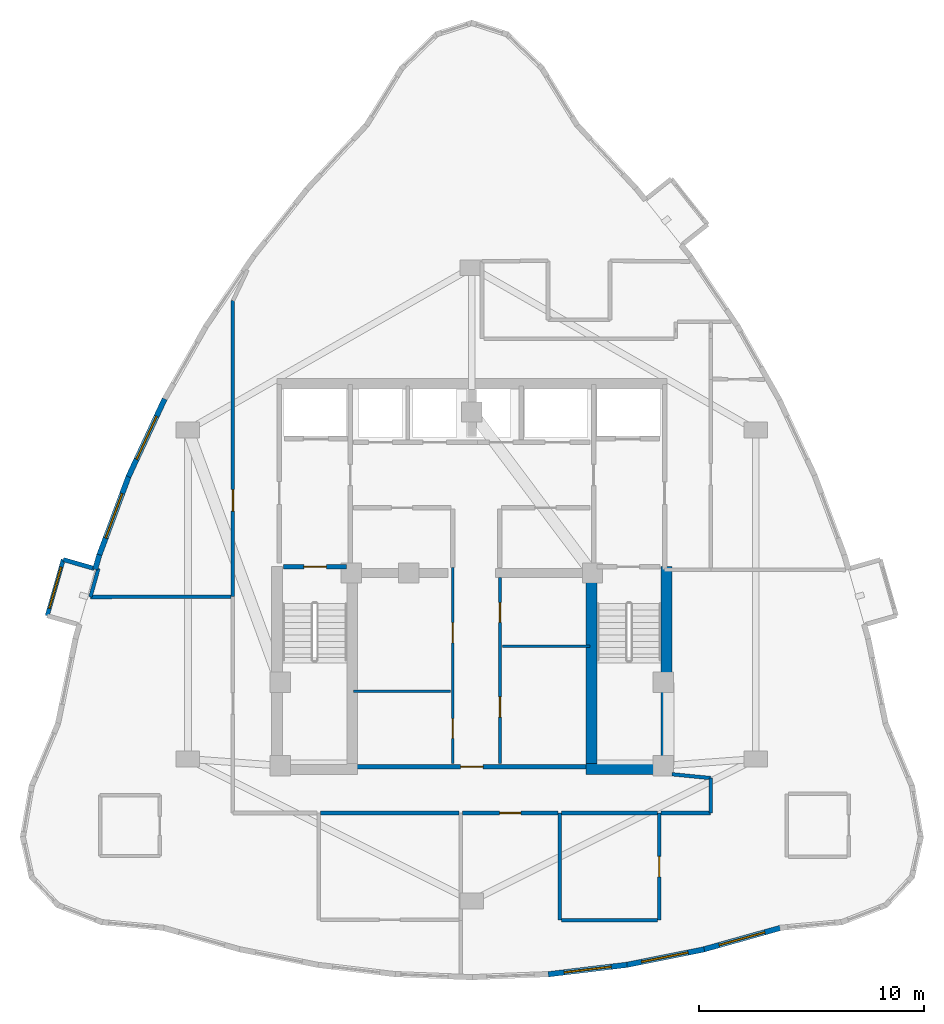
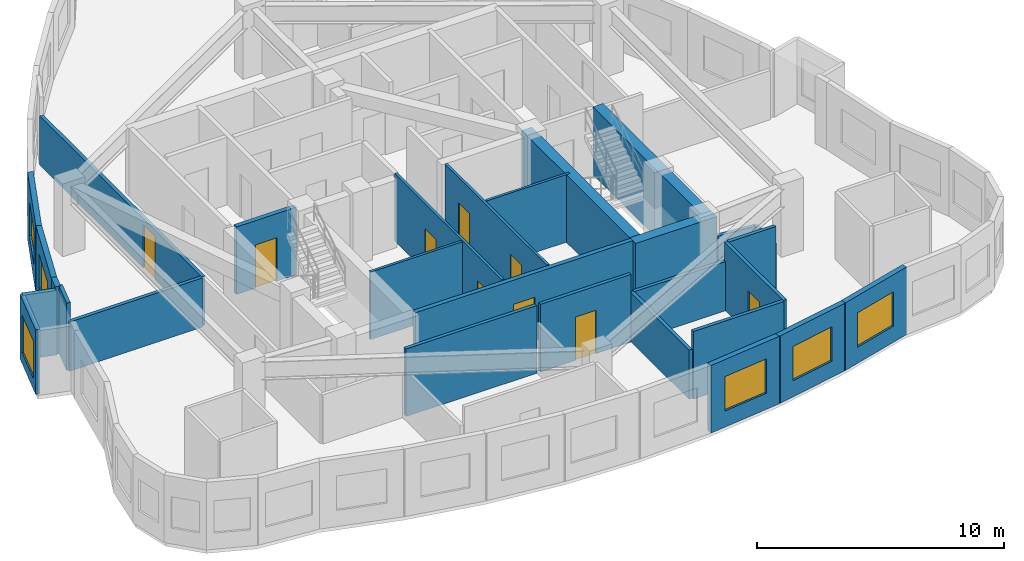
# One storey, part 4 of 8: 29 walls, 9 doors, 6 windows, 15 openings.
"""IFC4 building model written with IfcOpenShell, lengths in metres."""

import ifcopenshell
import ifcopenshell.guid

model = None  # the IFC model being written
_history = None  # IfcOwnerHistory: only IFC2X3 demands one
_inside = {}  # id of a spatial element -> (the spatial element, [elements in it])
_under = {}  # id of a project, library or spatial element -> (it, [spatial elements below it])
_declared = {}  # id of a project -> (the project, [libraries it declares])
_typed = {}  # id of a type object -> (the type object, [elements of that type])
_made_of = {}  # id of a material, layer set ... -> (it, [elements and type objects made of it])


def new_model(schema):
    """Start an empty IFC model of exactly this schema.

    Asked for "IFC4X3", IfcOpenShell would pick the latest addendum, in which some entities
    have other attributes; the version numbers below select the first issue.
    IFC2X3 requires an IfcOwnerHistory on every rooted entity: one is made here for all.
    """
    global model, _history
    if schema == "IFC4X3":
        model = ifcopenshell.file(schema_version=(4, 3, 0, 0))
    else:
        model = ifcopenshell.file(schema=schema)
    _inside.clear()
    _under.clear()
    _declared.clear()
    _typed.clear()
    _made_of.clear()
    _history = None
    if model.schema == "IFC2X3":
        org = make("IfcOrganization", Name="unknown")
        user = make(
            "IfcPersonAndOrganization",
            ThePerson=make("IfcPerson", FamilyName="unknown"),
            TheOrganization=org,
        )
        app = make(
            "IfcApplication",
            ApplicationDeveloper=org,
            Version="unknown",
            ApplicationFullName="unknown",
            ApplicationIdentifier="unknown",
        )
        _history = make(
            "IfcOwnerHistory",
            OwningUser=user,
            OwningApplication=app,
            ChangeAction="ADDED",
            CreationDate=0,
        )
    return model


def make(cls, **values):
    """One entity of the class cls with the attributes given. An attribute that is None is left unset."""
    return model.create_entity(
        cls, **{name: value for name, value in values.items() if value is not None}
    )


def rooted(cls, **values):
    """An entity with a GlobalId (a new one), such as an element, a storey or a relation."""
    return make(cls, GlobalId=ifcopenshell.guid.new(), OwnerHistory=_history, **values)


def si_unit(unit_type, name, prefix=None):
    """IfcSIUnit, for example si_unit("LENGTHUNIT", "METRE", prefix="MILLI")."""
    return make("IfcSIUnit", UnitType=unit_type, Prefix=prefix, Name=name)


def assignment(units):
    """IfcUnitAssignment: the units of a project."""
    return None if units is None else make("IfcUnitAssignment", Units=units)


def point(xyz):
    """IfcCartesianPoint."""
    return None if xyz is None else make("IfcCartesianPoint", Coordinates=xyz)


def direction(xyz):
    """IfcDirection."""
    return None if xyz is None else make("IfcDirection", DirectionRatios=xyz)


def frame(location, z_axis=None, x_axis=None):
    """IfcAxis2Placement3D, a coordinate frame: its origin and axes. An axis left out is left unset."""
    return make(
        "IfcAxis2Placement3D",
        Location=point(location),
        Axis=direction(z_axis),
        RefDirection=direction(x_axis),
    )


def frame_2d(location, x_axis=None):
    """IfcAxis2Placement2D, a coordinate frame in the plane: its origin and x axis."""
    return make(
        "IfcAxis2Placement2D", Location=point(location), RefDirection=direction(x_axis)
    )


def origin():
    """The frame at (0, 0, 0) with its axes left unset."""
    return frame((0.0, 0.0, 0.0))


def place(relative_to, where):
    """IfcLocalPlacement: puts the frame where relative to a parent placement (None: the world)."""
    return make(
        "IfcLocalPlacement", PlacementRelTo=relative_to, RelativePlacement=where
    )


def context(
    kind, dimensions, precision=None, world=None, true_north=None, identifier=None
):
    """IfcGeometricRepresentationContext, for example the 3D "Model" context."""
    return make(
        "IfcGeometricRepresentationContext",
        ContextIdentifier=identifier,
        ContextType=kind,
        CoordinateSpaceDimension=dimensions,
        Precision=precision,
        WorldCoordinateSystem=world,
        TrueNorth=true_north,
    )


def subcontext(parent, identifier, kind, view, scale=None):
    """IfcGeometricRepresentationSubContext, for example "Body" below "Model"."""
    return make(
        "IfcGeometricRepresentationSubContext",
        ContextIdentifier=identifier,
        ContextType=kind,
        ParentContext=parent,
        TargetScale=scale,
        TargetView=view,
    )


def project(units=None, contexts=None):
    """IfcProject with its units and contexts."""
    return rooted(
        "IfcProject",
        Name="project",
        RepresentationContexts=contexts,
        UnitsInContext=assignment(units),
    )


def spatial(cls, under=None, at=None, **own):
    """A site, building, storey or space (cls), placed at a placement, below another one or the project."""
    s = rooted(cls, ObjectPlacement=at, **own)
    if under is not None:
        _under.setdefault(under.id(), (under, []))[1].append(s)
    return s


def profile(cls, at=None, kind="AREA", **sizes):
    """A parametric profile (cls). Its sizes go by their IFC names, for example OverallWidth=200.0."""
    return make(cls, ProfileType=kind, Position=at, **sizes)


def rectangle(**sizes):
    """IfcRectangleProfileDef."""
    return profile("IfcRectangleProfileDef", **sizes)


def extrude(swept, where, along, depth):
    """IfcExtrudedAreaSolid: the profile swept, set in the frame where, extruded along a direction by depth."""
    return make(
        "IfcExtrudedAreaSolid",
        SweptArea=swept,
        Position=where,
        ExtrudedDirection=direction(along),
        Depth=depth,
    )


def shape(context_of_items, identifier, shape_type, items):
    """IfcShapeRepresentation: the items that make up one representation, for example the "Body"."""
    return make(
        "IfcShapeRepresentation",
        ContextOfItems=context_of_items,
        RepresentationIdentifier=identifier,
        RepresentationType=shape_type,
        Items=items,
    )


def material(Name=None, Category=None):
    """IfcMaterial."""
    return make("IfcMaterial", Name=Name, Category=Category)


def layer(
    of_material, thickness, ventilated=None, Name=None, Category=None, Priority=None
):
    """IfcMaterialLayer: one layer of a wall or slab, of a material (None: an air gap)."""
    return make(
        "IfcMaterialLayer",
        Material=of_material,
        LayerThickness=thickness,
        IsVentilated=ventilated,
        Name=Name,
        Category=Category,
        Priority=Priority,
    )


def layer_set(layers, Name=None):
    """IfcMaterialLayerSet."""
    return make("IfcMaterialLayerSet", MaterialLayers=layers, LayerSetName=Name)


def made_of(thing, what):
    """Note that an element or type object is made of a material, layer set ...; save() writes the relation."""
    if what is not None:
        _made_of.setdefault(what.id(), (what, []))[1].append(thing)
    return thing


def type_object(cls, material=None, **own):
    """A type object (cls), such as IfcWallType, which elements share."""
    return made_of(rooted(cls, **own), material)


def element(
    cls,
    number,
    at=None,
    inside=None,
    cuts=None,
    type_object=None,
    material=None,
    context=None,
    identifier="Body",
    shape_type=None,
    held_by="IfcProductDefinitionShape",
    body=None,
    shapes=None,
    **own,
):
    """One element of the class cls, such as IfcWall. Its Tag is "e" and its number.

    at: its placement. inside: the storey or other place that contains it. cuts: it is an
    opening in that element (IfcRelVoidsElement). A single representation is given by context,
    identifier, shape_type and body (its items); several are given by shapes. held_by: the class
    of the entity that holds the representations. save() writes the other relations.
    """
    e = rooted(cls, Tag="e%d" % number, ObjectPlacement=at, **own)
    if body is not None:
        shapes = [shape(context, identifier, shape_type, body)]
    if shapes is not None:
        e.Representation = make(held_by, Representations=shapes)
    if inside is not None:
        _inside.setdefault(inside.id(), (inside, []))[1].append(e)
    if cuts is not None:
        rooted(
            "IfcRelVoidsElement", RelatingBuildingElement=cuts, RelatedOpeningElement=e
        )
    if type_object is not None:
        _typed.setdefault(type_object.id(), (type_object, []))[1].append(e)
    return made_of(e, material)


def fill(opening, filler):
    """IfcRelFillsElement: the door or window that sits in an opening."""
    return rooted(
        "IfcRelFillsElement",
        RelatingOpeningElement=opening,
        RelatedBuildingElement=filler,
    )


def aggregate(whole, parts):
    """IfcRelAggregates: a whole, such as a stair, and the parts it consists of."""
    return rooted("IfcRelAggregates", RelatingObject=whole, RelatedObjects=parts)


def save(model, path):
    """Write the relations noted so far, then the file.

    IfcRelAggregates (storeys below a building ...), IfcRelContainedInSpatialStructure (elements
    in a storey), IfcRelDefinesByType, IfcRelAssociatesMaterial and IfcRelDeclares: one each for
    every whole, place, type object, material and project.
    """
    for whole, parts in _under.values():
        aggregate(whole, parts)
    for where, things in _inside.values():
        rooted(
            "IfcRelContainedInSpatialStructure",
            RelatedElements=things,
            RelatingStructure=where,
        )
    for kind, things in _typed.values():
        rooted("IfcRelDefinesByType", RelatedObjects=things, RelatingType=kind)
    for what, things in _made_of.values():
        rooted("IfcRelAssociatesMaterial", RelatedObjects=things, RelatingMaterial=what)
    for by, libraries in _declared.values():
        rooted("IfcRelDeclares", RelatingContext=by, RelatedDefinitions=libraries)
    model.write(path)


model = new_model("IFC4")

# Units and contexts
model_context = context("Model", 3, precision=1e-05, world=origin(), true_north=direction((0.0, 1.0)))
body_context = subcontext(model_context, "Body", "Model", "MODEL_VIEW")
ifc_project = project(units=[si_unit("LENGTHUNIT", "METRE"), si_unit("AREAUNIT", "SQUARE_METRE"), si_unit("VOLUMEUNIT", "CUBIC_METRE"), si_unit("PLANEANGLEUNIT", "RADIAN"), si_unit("MASSUNIT", "GRAM", prefix="KILO")], contexts=[model_context])

# Site, building, storey
site_placement = place(None, origin())
site = spatial("IfcSite", under=ifc_project, at=site_placement, CompositionType="ELEMENT")
building_placement = place(site_placement, origin())
building = spatial("IfcBuilding", under=site, at=building_placement, Name="Miruveldt Soraemaru", CompositionType="ELEMENT")
storey_placement = place(building_placement, frame((0.0, 0.0, 237.60009765625)))
storey = spatial("IfcBuildingStorey", under=building, at=storey_placement, Name="L65", CompositionType="ELEMENT", Elevation=237.60009765625)

# Wall
ifc_material_1 = material(Name="White powder-coated aluminium EN AW-6060 T6", Category="aluminium")
ifc_layer_1 = layer(ifc_material_1, 0.18994140625, Name="White powder-coated aluminium EN AW-6060 T6", Category="aluminium")
ifc_layer_set_1 = layer_set([ifc_layer_1], Name="White powder-coated aluminium EN AW-6060 T6")
wall_type_1 = type_object("IfcWallType", Name="WALL-BAY-ALU190", PredefinedType="SOLIDWALL", material=ifc_layer_set_1)
wall_1_placement = place(storey_placement, frame((27.240966796875, 44.253662109375, 0.0), z_axis=(0.0, 0.0, 1.0), x_axis=(-0.961452801096, 0.274970018845, 0.0)))
element("IfcWall", 1, at=wall_1_placement, inside=storey, type_object=wall_type_1, Name="L65 Bay Window Side Cheek 1L", PredefinedType="SOLIDWALL", context=body_context, shape_type="SweptSolid", body=[
    extrude(rectangle(XDim=1.425048828125, YDim=0.18994140625, at=frame_2d((0.71240234375, 0.0))), origin(), (0.0, 0.0, 1.0), 3.19482421875),
])

# Wall, opening, window
wall_2_placement = place(storey_placement, frame((25.870849609375, 44.6455078125, 0.0), z_axis=(0.0, 0.0, 1.0), x_axis=(-0.274932598298, -0.961463502372, 0.0)))
wall_2 = element("IfcWall", 2, at=wall_2_placement, inside=storey, type_object=wall_type_1, Name="L65 Bay Window Front Frame 1", PredefinedType="SOLIDWALL", context=body_context, shape_type="SweptSolid", body=[
    extrude(rectangle(XDim=2.592041015625, YDim=0.18994140625, at=frame_2d((1.2958984375, 0.0))), origin(), (0.0, 0.0, 1.0), 3.19482421875),
])
opening_1_placement = place(wall_2_placement, frame((0.345947265625, 0.0, 0.550048828125)))
opening_1 = element("IfcOpeningElement", 3, at=opening_1_placement, cuts=wall_2, Name="Opening WN-6", PredefinedType="OPENING", context=body_context, shape_type="SweptSolid", body=[
    extrude(rectangle(XDim=1.89990234375, YDim=1.85009765625, at=frame_2d((0.949951171875, 0.925048828125))), frame((0.0, 0.10498046875, 0.0), z_axis=(0.0, -1.0, 0.0), x_axis=(1.0, 0.0, 0.0)), (0.0, 0.0, 1.0), 0.2099609375),
])
ifc_material_2 = material(Name="Triple low-e insulated glazing", Category="glass")
window_type_1 = type_object("IfcWindowType", Name="WIN-BAYW-1900x1850", PartitioningType="SINGLE_PANEL", PredefinedType="WINDOW", material=ifc_material_2)
window_1_placement = place(opening_1_placement, origin())
window_1 = element("IfcWindow", 4, at=window_1_placement, inside=storey, type_object=window_type_1, Name="L65 Projecting Bay Window 1", OverallHeight=1.85009765625, OverallWidth=1.89990234375, PartitioningType="SINGLE_PANEL", PredefinedType="WINDOW", context=body_context, shape_type="SweptSolid", body=[
    extrude(rectangle(XDim=1.89990234375, YDim=1.85009765625, at=frame_2d((0.949951171875, 0.925048828125))), frame((0.0, 0.030029296875, 0.0), z_axis=(0.0, -1.0, 0.0), x_axis=(1.0, 0.0, 0.0)), (0.0, 0.0, 1.0), 0.06005859375),
])
fill(opening_1, window_1)

# Walls
ifc_material_3 = material(Name="Concrete C60/75 (60 MPa)", Category="concrete")
ifc_layer_2 = layer(ifc_material_3, 0.47998046875, Name="Concrete C60/75 (60 MPa)", Category="concrete")
ifc_layer_set_2 = layer_set([ifc_layer_2], Name="Concrete C60/75 (60 MPa)")
wall_type_2 = type_object("IfcWallType", Name="WALL-CW-480", PredefinedType="SHEAR", material=ifc_layer_set_2)
wall_3_placement = place(storey_placement, frame((49.070068359375, 35.360107421875, 0.0), z_axis=(0.0, 0.0, 1.0), x_axis=(1.0, 0.0, 0.0)))
element("IfcWall", 5, at=wall_3_placement, inside=storey, type_object=wall_type_2, Name="L65 Central Core Shear Wall S2", PredefinedType="SHEAR", context=body_context, shape_type="SweptSolid", body=[
    extrude(rectangle(XDim=3.809814453125, YDim=0.47998046875, at=frame_2d((1.90478515625, 0.0))), origin(), (0.0, 0.0, 1.0), 3.344970703125),
])
wall_4_placement = place(storey_placement, frame((52.639892578125, 35.1201171875, 0.0), z_axis=(0.0, 0.0, 1.0), x_axis=(0.0, 1.0, 0.0)))
element("IfcWall", 6, at=wall_4_placement, inside=storey, type_object=wall_type_2, Name="L65 Central Core Shear Wall E1", PredefinedType="SHEAR", context=body_context, shape_type="SweptSolid", body=[
    extrude(rectangle(XDim=9.22998046875, YDim=0.47998046875, at=frame_2d((4.614990234375, 0.0))), origin(), (0.0, 0.0, 1.0), 3.344970703125),
])
wall_5_placement = place(storey_placement, frame((49.31005859375, 35.39990234375, 0.0), z_axis=(0.0, 0.0, 1.0), x_axis=(0.0, 1.0, 0.0)))
element("IfcWall", 7, at=wall_5_placement, inside=storey, type_object=wall_type_2, Name="L65 Central Core Shear Wall SE-INT", PredefinedType="SHEAR", context=body_context, shape_type="SweptSolid", body=[
    extrude(rectangle(XDim=8.9501953125, YDim=0.47998046875, at=frame_2d((4.47509765625, 0.0))), origin(), (0.0, 0.0, 1.0), 3.344970703125),
])

# Wall, opening, window
ifc_material_4 = material(Name="Precast concrete C45/55 (45 MPa)", Category="concrete")
ifc_layer_3 = layer(ifc_material_4, 0.239990234375, Name="Precast concrete C45/55 (45 MPa)", Category="concrete")
ifc_layer_set_3 = layer_set([ifc_layer_3], Name="Precast concrete C45/55 (45 MPa)")
wall_type_3 = type_object("IfcWallType", Name="WALL-EXT-PC240", PredefinedType="SOLIDWALL", material=ifc_layer_set_3)
wall_6_placement = place(storey_placement, frame((30.3701171875, 51.77587890625, 0.0), z_axis=(0.0, 0.0, 1.0), x_axis=(-0.422289186976, -0.906461164399, 0.0)))
wall_6 = element("IfcWall", 8, at=wall_6_placement, inside=storey, type_object=wall_type_3, Name="L65 Precast Concrete Facade Wall 11", PredefinedType="SOLIDWALL", context=body_context, shape_type="SweptSolid", body=[
    extrude(rectangle(XDim=3.81103515625, YDim=0.239990234375, at=frame_2d((1.905517578125, 0.0))), origin(), (0.0, 0.0, 1.0), 3.344970703125),
])
opening_2_placement = place(wall_6_placement, frame((0.85498046875, 0.0, 0.800048828125)))
opening_2 = element("IfcOpeningElement", 9, at=opening_2_placement, cuts=wall_6, Name="Opening WN-1", PredefinedType="OPENING", context=body_context, shape_type="SweptSolid", body=[
    extrude(rectangle(XDim=2.10009765625, YDim=1.699951171875, at=frame_2d((1.050048828125, 0.85009765625))), frame((0.0, 0.1298828125, 0.0), z_axis=(0.0, -1.0, 0.0), x_axis=(1.0, 0.0, 0.0)), (0.0, 0.0, 1.0), 0.260009765625),
])
window_type_2 = type_object("IfcWindowType", Name="WIN-PUNCH-2100x1700", PartitioningType="SINGLE_PANEL", PredefinedType="WINDOW", material=ifc_material_2)
window_2_placement = place(opening_2_placement, origin())
window_2 = element("IfcWindow", 10, at=window_2_placement, inside=storey, type_object=window_type_2, Name="L65 Punched Triple-Glazed Window 11.1", OverallHeight=1.699951171875, OverallWidth=2.10009765625, PartitioningType="SINGLE_PANEL", PredefinedType="WINDOW", context=body_context, shape_type="SweptSolid", body=[
    extrude(rectangle(XDim=2.10009765625, YDim=1.699951171875, at=frame_2d((1.050048828125, 0.85009765625))), frame((0.0, 0.030029296875, 0.0), z_axis=(0.0, -1.0, 0.0), x_axis=(1.0, 0.0, 0.0)), (0.0, 0.0, 1.0), 0.06005859375),
])
fill(opening_2, window_2)

wall_7_placement = place(storey_placement, frame((28.787841796875, 48.385986328125, 0.0), z_axis=(0.0, 0.0, 1.0), x_axis=(-0.349057504323, -0.937101306517, 0.0)))
wall_7 = element("IfcWall", 11, at=wall_7_placement, inside=storey, type_object=wall_type_3, Name="L65 Precast Concrete Facade Wall 12", PredefinedType="SOLIDWALL", context=body_context, shape_type="SweptSolid", body=[
    extrude(rectangle(XDim=3.8349609375, YDim=0.239990234375, at=frame_2d((1.91748046875, 0.0))), origin(), (0.0, 0.0, 1.0), 3.344970703125),
])
opening_3_placement = place(wall_7_placement, frame((0.866943359375, 0.0, 0.800048828125)))
opening_3 = element("IfcOpeningElement", 12, at=opening_3_placement, cuts=wall_7, Name="Opening WN-1", PredefinedType="OPENING", context=body_context, shape_type="SweptSolid", body=[
    extrude(rectangle(XDim=2.10009765625, YDim=1.699951171875, at=frame_2d((1.050048828125, 0.85009765625))), frame((0.0, 0.1298828125, 0.0), z_axis=(0.0, -1.0, 0.0), x_axis=(1.0, 0.0, 0.0)), (0.0, 0.0, 1.0), 0.260009765625),
])
window_3_placement = place(opening_3_placement, origin())
window_3 = element("IfcWindow", 13, at=window_3_placement, inside=storey, type_object=window_type_2, Name="L65 Punched Triple-Glazed Window 12.1", OverallHeight=1.699951171875, OverallWidth=2.10009765625, PartitioningType="SINGLE_PANEL", PredefinedType="WINDOW", context=body_context, shape_type="SweptSolid", body=[
    extrude(rectangle(XDim=2.10009765625, YDim=1.699951171875, at=frame_2d((1.050048828125, 0.85009765625))), frame((0.0, 0.030029296875, 0.0), z_axis=(0.0, -1.0, 0.0), x_axis=(1.0, 0.0, 0.0)), (0.0, 0.0, 1.0), 0.06005859375),
])
fill(opening_3, window_3)

# Wall
wall_8_placement = place(storey_placement, frame((27.47119140625, 44.858642578125, 0.0), z_axis=(0.0, 0.0, 1.0), x_axis=(-0.274912223322, -0.961469328407, 0.0)))
element("IfcWall", 14, at=wall_8_placement, inside=storey, type_object=wall_type_3, Name="L65 Precast Pier Wall 13A", PredefinedType="SOLIDWALL", context=body_context, shape_type="SweptSolid", body=[
    extrude(rectangle(XDim=0.675048828125, YDim=0.239990234375, at=frame_2d((0.33740234375, 0.0))), origin(), (0.0, 0.0, 1.0), 3.344970703125),
])

# Wall, opening, window
wall_9_placement = place(storey_placement, frame((47.390625, 26.244384765625, 0.0), z_axis=(0.0, 0.0, 1.0), x_axis=(0.992867975091, 0.119219059038, 0.0)))
wall_9 = element("IfcWall", 15, at=wall_9_placement, inside=storey, type_object=wall_type_3, Name="L65 Precast Concrete Facade Wall 26", PredefinedType="SOLIDWALL", context=body_context, shape_type="SweptSolid", body=[
    extrude(rectangle(XDim=3.520263671875, YDim=0.239990234375, at=frame_2d((1.76025390625, 0.0))), origin(), (0.0, 0.0, 1.0), 3.344970703125),
])
opening_4_placement = place(wall_9_placement, frame((0.7099609375, 0.0, 0.800048828125)))
opening_4 = element("IfcOpeningElement", 16, at=opening_4_placement, cuts=wall_9, Name="Opening WN-1", PredefinedType="OPENING", context=body_context, shape_type="SweptSolid", body=[
    extrude(rectangle(XDim=2.10009765625, YDim=1.699951171875, at=frame_2d((1.050048828125, 0.85009765625))), frame((0.0, 0.1298828125, 0.0), z_axis=(0.0, -1.0, 0.0), x_axis=(1.0, 0.0, 0.0)), (0.0, 0.0, 1.0), 0.260009765625),
])
window_4_placement = place(opening_4_placement, origin())
window_4 = element("IfcWindow", 17, at=window_4_placement, inside=storey, type_object=window_type_2, Name="L65 Punched Triple-Glazed Window 26.1", OverallHeight=1.699951171875, OverallWidth=2.10009765625, PartitioningType="SINGLE_PANEL", PredefinedType="WINDOW", context=body_context, shape_type="SweptSolid", body=[
    extrude(rectangle(XDim=2.10009765625, YDim=1.699951171875, at=frame_2d((1.050048828125, 0.85009765625))), frame((0.0, 0.030029296875, 0.0), z_axis=(0.0, -1.0, 0.0), x_axis=(1.0, 0.0, 0.0)), (0.0, 0.0, 1.0), 0.06005859375),
])
fill(opening_4, window_4)

wall_10_placement = place(storey_placement, frame((50.816650390625, 26.65283203125, 0.0), z_axis=(0.0, 0.0, 1.0), x_axis=(0.980572769429, 0.196155662303, 0.0)))
wall_10 = element("IfcWall", 18, at=wall_10_placement, inside=storey, type_object=wall_type_3, Name="L65 Precast Concrete Facade Wall 27", PredefinedType="SOLIDWALL", context=body_context, shape_type="SweptSolid", body=[
    extrude(rectangle(XDim=3.5634765625, YDim=0.239990234375, at=frame_2d((1.78173828125, 0.0))), origin(), (0.0, 0.0, 1.0), 3.344970703125),
])
opening_5_placement = place(wall_10_placement, frame((0.73193359375, 0.0, 0.800048828125)))
opening_5 = element("IfcOpeningElement", 19, at=opening_5_placement, cuts=wall_10, Name="Opening WN-1", PredefinedType="OPENING", context=body_context, shape_type="SweptSolid", body=[
    extrude(rectangle(XDim=2.10009765625, YDim=1.699951171875, at=frame_2d((1.050048828125, 0.85009765625))), frame((0.0, 0.1298828125, 0.0), z_axis=(0.0, -1.0, 0.0), x_axis=(1.0, 0.0, 0.0)), (0.0, 0.0, 1.0), 0.260009765625),
])
window_5_placement = place(opening_5_placement, origin())
window_5 = element("IfcWindow", 20, at=window_5_placement, inside=storey, type_object=window_type_2, Name="L65 Punched Triple-Glazed Window 27.1", OverallHeight=1.699951171875, OverallWidth=2.10009765625, PartitioningType="SINGLE_PANEL", PredefinedType="WINDOW", context=body_context, shape_type="SweptSolid", body=[
    extrude(rectangle(XDim=2.10009765625, YDim=1.699951171875, at=frame_2d((1.050048828125, 0.85009765625))), frame((0.0, 0.030029296875, 0.0), z_axis=(0.0, -1.0, 0.0), x_axis=(1.0, 0.0, 0.0)), (0.0, 0.0, 1.0), 0.06005859375),
])
fill(opening_5, window_5)

wall_11_placement = place(storey_placement, frame((54.242919921875, 27.33544921875, 0.0), z_axis=(0.0, 0.0, 1.0), x_axis=(0.96295842686, 0.269649899203, 0.0)))
wall_11 = element("IfcWall", 21, at=wall_11_placement, inside=storey, type_object=wall_type_3, Name="L65 Precast Concrete Facade Wall 28", PredefinedType="SOLIDWALL", context=body_context, shape_type="SweptSolid", body=[
    extrude(rectangle(XDim=3.626953125, YDim=0.239990234375, at=frame_2d((1.8134765625, 0.0))), origin(), (0.0, 0.0, 1.0), 3.344970703125),
])
opening_6_placement = place(wall_11_placement, frame((0.763916015625, 0.0, 0.800048828125)))
opening_6 = element("IfcOpeningElement", 22, at=opening_6_placement, cuts=wall_11, Name="Opening WN-1", PredefinedType="OPENING", context=body_context, shape_type="SweptSolid", body=[
    extrude(rectangle(XDim=2.10009765625, YDim=1.699951171875, at=frame_2d((1.050048828125, 0.85009765625))), frame((0.0, 0.1298828125, 0.0), z_axis=(0.0, -1.0, 0.0), x_axis=(1.0, 0.0, 0.0)), (0.0, 0.0, 1.0), 0.260009765625),
])
window_6_placement = place(opening_6_placement, origin())
window_6 = element("IfcWindow", 23, at=window_6_placement, inside=storey, type_object=window_type_2, Name="L65 Punched Triple-Glazed Window 28.1", OverallHeight=1.699951171875, OverallWidth=2.10009765625, PartitioningType="SINGLE_PANEL", PredefinedType="WINDOW", context=body_context, shape_type="SweptSolid", body=[
    extrude(rectangle(XDim=2.10009765625, YDim=1.699951171875, at=frame_2d((1.050048828125, 0.85009765625))), frame((0.0, 0.030029296875, 0.0), z_axis=(0.0, -1.0, 0.0), x_axis=(1.0, 0.0, 0.0)), (0.0, 0.0, 1.0), 0.06005859375),
])
fill(opening_6, window_6)

# Wall, openings, doors
ifc_material_5 = material(Name="Gypsum plasterboard lining", Category="gypsum")
ifc_layer_4 = layer(ifc_material_5, 0.1201171875, Name="Gypsum plasterboard lining", Category="gypsum")
ifc_layer_set_4 = layer_set([ifc_layer_4], Name="Gypsum plasterboard lining")
wall_type_4 = type_object("IfcWallType", Name="WALL-INT-P120", PredefinedType="PARTITIONING", material=ifc_layer_set_4)
wall_12_placement = place(storey_placement, frame((43.14990234375, 35.60009765625, 0.0), z_axis=(0.0, 0.0, 1.0), x_axis=(0.0, 1.0, 0.0)))
wall_12 = element("IfcWall", 24, at=wall_12_placement, inside=storey, type_object=wall_type_4, Name="L65 Core Compartment Wall SP-WL", PredefinedType="PARTITIONING", context=body_context, shape_type="SweptSolid", body=[
    extrude(rectangle(XDim=8.699951171875, YDim=0.1201171875, at=frame_2d((4.35009765625, 0.0))), origin(), (0.0, 0.0, 1.0), 3.344970703125),
])
opening_7_placement = place(wall_12_placement, frame((1.110107421875, 0.0, 0.0)))
opening_7 = element("IfcOpeningElement", 25, at=opening_7_placement, cuts=wall_12, Name="Opening D4", PredefinedType="OPENING", context=body_context, shape_type="SweptSolid", body=[
    extrude(rectangle(XDim=0.8798828125, YDim=2.10009765625, at=frame_2d((0.43994140625, 1.050048828125))), frame((0.0, 0.070068359375, 0.0), z_axis=(0.0, -1.0, 0.0), x_axis=(1.0, 0.0, 0.0)), (0.0, 0.0, 1.0), 0.14013671875),
])
opening_8_placement = place(wall_12_placement, frame((5.35009765625, 0.0, 0.0)))
opening_8 = element("IfcOpeningElement", 26, at=opening_8_placement, cuts=wall_12, Name="Opening D3", PredefinedType="OPENING", context=body_context, shape_type="SweptSolid", body=[
    extrude(rectangle(XDim=0.89990234375, YDim=2.10009765625, at=frame_2d((0.449951171875, 1.050048828125))), frame((0.0, 0.070068359375, 0.0), z_axis=(0.0, -1.0, 0.0), x_axis=(1.0, 0.0, 0.0)), (0.0, 0.0, 1.0), 0.14013671875),
])
ifc_material_6 = material(Name="Anodised aluminium EN AW-6063 T6", Category="aluminium")
door_type_1 = type_object("IfcDoorType", Name="DOOR-INT-880", OperationType="NOTDEFINED", PredefinedType="DOOR", material=ifc_material_6)
door_1_placement = place(opening_7_placement, origin())
door_1 = element("IfcDoor", 27, at=door_1_placement, inside=storey, type_object=door_type_1, Name="L65 Fire Door", OperationType="SINGLE_SWING_LEFT", OverallHeight=2.10009765625, OverallWidth=0.8798828125, PredefinedType="DOOR", context=body_context, shape_type="SweptSolid", body=[
    extrude(rectangle(XDim=0.8798828125, YDim=2.10009765625, at=frame_2d((0.43994140625, 1.050048828125))), frame((0.0, 0.02490234375, 0.0), z_axis=(0.0, -1.0, 0.0), x_axis=(1.0, 0.0, 0.0)), (0.0, 0.0, 1.0), 0.050048828125),
])
fill(opening_7, door_1)
door_type_2 = type_object("IfcDoorType", Name="DOOR-INT-900", OperationType="NOTDEFINED", PredefinedType="DOOR", material=ifc_material_6)
door_2_placement = place(opening_8_placement, origin())
door_2 = element("IfcDoor", 28, at=door_2_placement, inside=storey, type_object=door_type_2, Name="L65 Fire Door", OperationType="SINGLE_SWING_LEFT", OverallHeight=2.10009765625, OverallWidth=0.89990234375, PredefinedType="DOOR", context=body_context, shape_type="SweptSolid", body=[
    extrude(rectangle(XDim=0.89990234375, YDim=2.10009765625, at=frame_2d((0.449951171875, 1.050048828125))), frame((0.0, 0.02490234375, 0.0), z_axis=(0.0, -1.0, 0.0), x_axis=(1.0, 0.0, 0.0)), (0.0, 0.0, 1.0), 0.050048828125),
])
fill(opening_8, door_2)

wall_13_placement = place(storey_placement, frame((45.25, 35.60009765625, 0.0), z_axis=(0.0, 0.0, 1.0), x_axis=(0.0, 1.0, 0.0)))
wall_13 = element("IfcWall", 29, at=wall_13_placement, inside=storey, type_object=wall_type_4, Name="L65 Core Compartment Wall SP-EL", PredefinedType="PARTITIONING", context=body_context, shape_type="SweptSolid", body=[
    extrude(rectangle(XDim=8.25, YDim=0.1201171875, at=frame_2d((4.125, 0.0))), origin(), (0.0, 0.0, 1.0), 3.344970703125),
])
opening_9_placement = place(wall_13_placement, frame((2.050048828125, 0.0, 0.0)))
opening_9 = element("IfcOpeningElement", 30, at=opening_9_placement, cuts=wall_13, Name="Opening D3", PredefinedType="OPENING", context=body_context, shape_type="SweptSolid", body=[
    extrude(rectangle(XDim=0.89990234375, YDim=2.10009765625, at=frame_2d((0.449951171875, 1.050048828125))), frame((0.0, 0.070068359375, 0.0), z_axis=(0.0, -1.0, 0.0), x_axis=(1.0, 0.0, 0.0)), (0.0, 0.0, 1.0), 0.14013671875),
])
opening_10_placement = place(wall_13_placement, frame((6.260009765625, 0.0, 0.0)))
opening_10 = element("IfcOpeningElement", 31, at=opening_10_placement, cuts=wall_13, Name="Opening D4", PredefinedType="OPENING", context=body_context, shape_type="SweptSolid", body=[
    extrude(rectangle(XDim=0.8798828125, YDim=2.10009765625, at=frame_2d((0.43994140625, 1.050048828125))), frame((0.0, 0.070068359375, 0.0), z_axis=(0.0, -1.0, 0.0), x_axis=(1.0, 0.0, 0.0)), (0.0, 0.0, 1.0), 0.14013671875),
])
door_3_placement = place(opening_10_placement, origin())
door_3 = element("IfcDoor", 32, at=door_3_placement, inside=storey, type_object=door_type_1, Name="L65 Fire Door", OperationType="SINGLE_SWING_LEFT", OverallHeight=2.10009765625, OverallWidth=0.8798828125, PredefinedType="DOOR", context=body_context, shape_type="SweptSolid", body=[
    extrude(rectangle(XDim=0.8798828125, YDim=2.10009765625, at=frame_2d((0.43994140625, 1.050048828125))), frame((0.0, 0.02490234375, 0.0), z_axis=(0.0, -1.0, 0.0), x_axis=(1.0, 0.0, 0.0)), (0.0, 0.0, 1.0), 0.050048828125),
])
fill(opening_10, door_3)
door_4_placement = place(opening_9_placement, origin())
door_4 = element("IfcDoor", 33, at=door_4_placement, inside=storey, type_object=door_type_2, Name="L65 Fire Door", OperationType="SINGLE_SWING_LEFT", OverallHeight=2.10009765625, OverallWidth=0.89990234375, PredefinedType="DOOR", context=body_context, shape_type="SweptSolid", body=[
    extrude(rectangle(XDim=0.89990234375, YDim=2.10009765625, at=frame_2d((0.449951171875, 1.050048828125))), frame((0.0, 0.02490234375, 0.0), z_axis=(0.0, -1.0, 0.0), x_axis=(1.0, 0.0, 0.0)), (0.0, 0.0, 1.0), 0.050048828125),
])
fill(opening_9, door_4)

# Walls
wall_14_placement = place(storey_placement, frame((38.75, 38.800048828125, 0.0), z_axis=(0.0, 0.0, 1.0), x_axis=(1.0, 0.0, 0.0)))
element("IfcWall", 34, at=wall_14_placement, inside=storey, type_object=wall_type_4, Name="L65 Core Compartment Wall RL-W2H", PredefinedType="PARTITIONING", context=body_context, shape_type="SweptSolid", body=[
    extrude(rectangle(XDim=4.300048828125, YDim=0.1201171875, at=frame_2d((2.14990234375, 0.0))), origin(), (0.0, 0.0, 1.0), 3.344970703125),
])
wall_15_placement = place(storey_placement, frame((45.35009765625, 40.800048828125, 0.0), z_axis=(0.0, 0.0, 1.0), x_axis=(1.0, 0.0, 0.0)))
element("IfcWall", 35, at=wall_15_placement, inside=storey, type_object=wall_type_4, Name="L65 Core Compartment Wall RL-E2H", PredefinedType="PARTITIONING", context=body_context, shape_type="SweptSolid", body=[
    extrude(rectangle(XDim=3.89990234375, YDim=0.1201171875, at=frame_2d((1.949951171875, 0.0))), origin(), (0.0, 0.0, 1.0), 3.344970703125),
])

# Wall, opening, door
ifc_material_7 = material(Name="Concrete C40/50 (40 MPa)", Category="concrete")
ifc_layer_5 = layer(ifc_material_7, 0.159912109375, Name="Concrete C40/50 (40 MPa)", Category="concrete")
ifc_layer_set_5 = layer_set([ifc_layer_5], Name="Concrete C40/50 (40 MPa)")
wall_type_5 = type_object("IfcWallType", Name="WALL-INT-RC160", PredefinedType="SOLIDWALL", material=ifc_layer_set_5)
wall_16_placement = place(storey_placement, frame((33.39990234375, 56.134033203125, 0.0), z_axis=(0.0, 0.0, 1.0), x_axis=(0.0, -1.0, 0.0)))
wall_16 = element("IfcWall", 36, at=wall_16_placement, inside=storey, type_object=wall_type_5, Name="L65 Partition Wall 1", PredefinedType="SOLIDWALL", context=body_context, shape_type="SweptSolid", body=[
    extrude(rectangle(XDim=13.131103515625, YDim=0.159912109375, at=frame_2d((6.5654296875, 0.0))), origin(), (0.0, 0.0, 1.0), 2.432861328125),
])
opening_11_placement = place(wall_16_placement, frame((8.385009765625, 0.0, 0.0)))
opening_11 = element("IfcOpeningElement", 37, at=opening_11_placement, cuts=wall_16, Name="Opening FD2", PredefinedType="OPENING", context=body_context, shape_type="SweptSolid", body=[
    extrude(rectangle(XDim=0.949951171875, YDim=2.14990234375, at=frame_2d((0.47509765625, 1.074951171875))), frame((0.0, 0.08984375, 0.0), z_axis=(0.0, -1.0, 0.0), x_axis=(1.0, 0.0, 0.0)), (0.0, 0.0, 1.0), 0.179931640625),
])
door_type_3 = type_object("IfcDoorType", Name="DOOR-FD2-950", OperationType="NOTDEFINED", PredefinedType="DOOR", material=ifc_material_6)
door_5_placement = place(opening_11_placement, origin())
door_5 = element("IfcDoor", 38, at=door_5_placement, inside=storey, type_object=door_type_3, Name="L65 Unit CL01 Entrance Fire Door", OperationType="SINGLE_SWING_LEFT", OverallHeight=2.14990234375, OverallWidth=0.949951171875, PredefinedType="DOOR", context=body_context, shape_type="SweptSolid", body=[
    extrude(rectangle(XDim=0.949951171875, YDim=2.14990234375, at=frame_2d((0.47509765625, 1.074951171875))), frame((0.0, 0.02490234375, 0.0), z_axis=(0.0, -1.0, 0.0), x_axis=(1.0, 0.0, 0.0)), (0.0, 0.0, 1.0), 0.050048828125),
])
fill(opening_11, door_5)

wall_17_placement = place(storey_placement, frame((52.31494140625, 33.39990234375, 0.0), z_axis=(0.0, 0.0, 1.0), x_axis=(0.0, -1.0, 0.0)))
wall_17 = element("IfcWall", 39, at=wall_17_placement, inside=storey, type_object=wall_type_5, Name="L65 Partition Wall 32", PredefinedType="SOLIDWALL", context=body_context, shape_type="SweptSolid", body=[
    extrude(rectangle(XDim=4.7578125, YDim=0.159912109375, at=frame_2d((2.37890625, 0.0))), origin(), (0.0, 0.0, 1.0), 3.344970703125),
])
opening_12_placement = place(wall_17_placement, frame((1.9189453125, 0.0, 0.0)))
opening_12 = element("IfcOpeningElement", 40, at=opening_12_placement, cuts=wall_17, Name="Opening D3A", PredefinedType="OPENING", context=body_context, shape_type="SweptSolid", body=[
    extrude(rectangle(XDim=0.919921875, YDim=2.10009765625, at=frame_2d((0.4599609375, 1.050048828125))), frame((0.0, 0.08984375, 0.0), z_axis=(0.0, -1.0, 0.0), x_axis=(1.0, 0.0, 0.0)), (0.0, 0.0, 1.0), 0.179931640625),
])
door_type_4 = type_object("IfcDoorType", Name="DOOR-INT-920", OperationType="NOTDEFINED", PredefinedType="DOOR", material=ifc_material_6)
door_6_placement = place(opening_12_placement, origin())
door_6 = element("IfcDoor", 41, at=door_6_placement, inside=storey, type_object=door_type_4, Name="L65 Unit 6504 BD2 Door", OperationType="SINGLE_SWING_LEFT", OverallHeight=2.10009765625, OverallWidth=0.919921875, PredefinedType="DOOR", context=body_context, shape_type="SweptSolid", body=[
    extrude(rectangle(XDim=0.919921875, YDim=2.10009765625, at=frame_2d((0.4599609375, 1.050048828125))), frame((0.0, 0.02490234375, 0.0), z_axis=(0.0, -1.0, 0.0), x_axis=(1.0, 0.0, 0.0)), (0.0, 0.0, 1.0), 0.050048828125),
])
fill(opening_12, door_6)

wall_18_placement = place(storey_placement, frame((43.5830078125, 33.39990234375, 0.0), z_axis=(0.0, 0.0, 1.0), x_axis=(1.0, 0.0, 0.0)))
wall_18 = element("IfcWall", 42, at=wall_18_placement, inside=storey, type_object=wall_type_5, Name="L65 Partition Wall 11", PredefinedType="SOLIDWALL", context=body_context, shape_type="SweptSolid", body=[
    extrude(rectangle(XDim=4.241943359375, YDim=0.159912109375, at=frame_2d((2.12109375, 0.0))), origin(), (0.0, 0.0, 1.0), 3.344970703125),
])
opening_13_placement = place(wall_18_placement, frame((1.64599609375, 0.0, 0.0)))
opening_13 = element("IfcOpeningElement", 43, at=opening_13_placement, cuts=wall_18, Name="Opening FD2", PredefinedType="OPENING", context=body_context, shape_type="SweptSolid", body=[
    extrude(rectangle(XDim=0.949951171875, YDim=2.14990234375, at=frame_2d((0.47509765625, 1.074951171875))), frame((0.0, 0.08984375, 0.0), z_axis=(0.0, -1.0, 0.0), x_axis=(1.0, 0.0, 0.0)), (0.0, 0.0, 1.0), 0.179931640625),
])
door_7_placement = place(opening_13_placement, origin())
door_7 = element("IfcDoor", 44, at=door_7_placement, inside=storey, type_object=door_type_3, Name="L65 Unit 6504 Entrance Fire Door", OperationType="SINGLE_SWING_LEFT", OverallHeight=2.14990234375, OverallWidth=0.949951171875, PredefinedType="DOOR", context=body_context, shape_type="SweptSolid", body=[
    extrude(rectangle(XDim=0.949951171875, YDim=2.14990234375, at=frame_2d((0.47509765625, 1.074951171875))), frame((0.0, 0.02490234375, 0.0), z_axis=(0.0, -1.0, 0.0), x_axis=(1.0, 0.0, 0.0)), (0.0, 0.0, 1.0), 0.050048828125),
])
fill(opening_13, door_7)

# Walls
wall_19_placement = place(storey_placement, frame((27.075927734375, 42.986083984375, 0.0), z_axis=(0.0, 0.0, 1.0), x_axis=(0.999997514038, 0.002229779693, 0.0)))
element("IfcWall", 45, at=wall_19_placement, inside=storey, type_object=wall_type_5, Name="L65 Partition Wall 17", PredefinedType="SOLIDWALL", context=body_context, shape_type="SweptSolid", body=[
    extrude(rectangle(XDim=6.240966796875, YDim=0.159912109375, at=frame_2d((3.12060546875, 0.0))), origin(), (0.0, 0.0, 1.0), 2.432861328125),
])
wall_20_placement = place(storey_placement, frame((37.29296875, 33.39990234375, 0.0), z_axis=(0.0, 0.0, 1.0), x_axis=(1.0, 0.0, 0.0)))
element("IfcWall", 46, at=wall_20_placement, inside=storey, type_object=wall_type_5, Name="L65 Partition Wall 10", PredefinedType="SOLIDWALL", context=body_context, shape_type="SweptSolid", body=[
    extrude(rectangle(XDim=6.126953125, YDim=0.159912109375, at=frame_2d((3.0634765625, 0.0))), origin(), (0.0, 0.0, 1.0), 3.344970703125),
])
wall_21_placement = place(storey_placement, frame((47.907958984375, 28.64208984375, 0.0), z_axis=(0.0, 0.0, 1.0), x_axis=(0.0, 1.0, 0.0)))
element("IfcWall", 47, at=wall_21_placement, inside=storey, type_object=wall_type_5, Name="L65 Partition Wall 34", PredefinedType="SOLIDWALL", context=body_context, shape_type="SweptSolid", body=[
    extrude(rectangle(XDim=4.7578125, YDim=0.159912109375, at=frame_2d((2.37890625, 0.0))), origin(), (0.0, 0.0, 1.0), 2.432861328125),
])
wall_22_placement = place(storey_placement, frame((47.988037109375, 33.39990234375, 0.0), z_axis=(0.0, 0.0, 1.0), x_axis=(1.0, 0.0, 0.0)))
element("IfcWall", 48, at=wall_22_placement, inside=storey, type_object=wall_type_5, Name="L65 Partition Wall 16", PredefinedType="SOLIDWALL", context=body_context, shape_type="SweptSolid", body=[
    extrude(rectangle(XDim=4.2470703125, YDim=0.159912109375, at=frame_2d((2.12353515625, 0.0))), origin(), (0.0, 0.0, 1.0), 2.432861328125),
])
wall_23_placement = place(storey_placement, frame((52.235107421875, 28.64208984375, 0.0), z_axis=(0.0, 0.0, 1.0), x_axis=(-1.0, 0.0, 0.0)))
element("IfcWall", 49, at=wall_23_placement, inside=storey, type_object=wall_type_5, Name="L65 Partition Wall 33", PredefinedType="SOLIDWALL", context=body_context, shape_type="SweptSolid", body=[
    extrude(rectangle(XDim=4.2470703125, YDim=0.159912109375, at=frame_2d((2.12353515625, 0.0))), origin(), (0.0, 0.0, 1.0), 3.344970703125),
])
wall_24_placement = place(storey_placement, frame((52.39990234375, 33.39990234375, 0.0), z_axis=(0.0, 0.0, 1.0), x_axis=(1.0, 0.0, 0.0)))
element("IfcWall", 50, at=wall_24_placement, inside=storey, type_object=wall_type_5, Name="L65 Partition Wall 12", PredefinedType="SOLIDWALL", context=body_context, shape_type="SweptSolid", body=[
    extrude(rectangle(XDim=2.2001953125, YDim=0.159912109375, at=frame_2d((1.10009765625, 0.0))), origin(), (0.0, 0.0, 1.0), 3.344970703125),
])
wall_25_placement = place(storey_placement, frame((54.60009765625, 34.949951171875, 0.0), z_axis=(0.0, 0.0, 1.0), x_axis=(-0.995142898622, 0.098440902688, 0.0)))
element("IfcWall", 51, at=wall_25_placement, inside=storey, type_object=wall_type_5, Name="L65 Partition Wall 14", PredefinedType="SOLIDWALL", context=body_context, shape_type="SweptSolid", body=[
    extrude(rectangle(XDim=1.728515625, YDim=0.159912109375, at=frame_2d((0.8642578125, 0.0))), origin(), (0.0, 0.0, 1.0), 2.432861328125),
])
wall_26_placement = place(storey_placement, frame((54.60009765625, 33.39990234375, 0.0), z_axis=(0.0, 0.0, 1.0), x_axis=(0.0, 1.0, 0.0)))
element("IfcWall", 52, at=wall_26_placement, inside=storey, type_object=wall_type_5, Name="L65 Partition Wall 13", PredefinedType="SOLIDWALL", context=body_context, shape_type="SweptSolid", body=[
    extrude(rectangle(XDim=1.550048828125, YDim=0.159912109375, at=frame_2d((0.77490234375, 0.0))), origin(), (0.0, 0.0, 1.0), 2.432861328125),
])
wall_27_placement = place(storey_placement, frame((27.075927734375, 42.986083984375, 0.0), z_axis=(0.0, 0.0, 1.0), x_axis=(0.269933108059, 0.962879077129, 0.0)))
element("IfcWall", 53, at=wall_27_placement, inside=storey, type_object=wall_type_5, Name="L65 Partition Closure Return 2", PredefinedType="SOLIDWALL", context=body_context, shape_type="SweptSolid", body=[
    extrude(rectangle(XDim=1.314208984375, YDim=0.159912109375, at=frame_2d((0.6572265625, 0.0))), origin(), (0.0, 0.0, 1.0), 3.344970703125),
])

# Wall, opening, door
ifc_layer_6 = layer(ifc_material_7, 0.199951171875, Name="Concrete C40/50 (40 MPa)", Category="concrete")
ifc_layer_set_6 = layer_set([ifc_layer_6], Name="Concrete C40/50 (40 MPa)")
wall_type_6 = type_object("IfcWallType", Name="WALL-INT-RC200", PredefinedType="SOLIDWALL", material=ifc_layer_set_6)
wall_28_placement = place(storey_placement, frame((38.89990234375, 35.449951171875, 0.0), z_axis=(0.0, 0.0, 1.0), x_axis=(1.0, 0.0, 0.0)))
wall_28 = element("IfcWall", 54, at=wall_28_placement, inside=storey, type_object=wall_type_6, Name="L65 Core Compartment Wall CS-S", PredefinedType="SOLIDWALL", context=body_context, shape_type="SweptSolid", body=[
    extrude(rectangle(XDim=10.2001953125, YDim=0.199951171875, at=frame_2d((5.10009765625, 0.0))), origin(), (0.0, 0.0, 1.0), 3.344970703125),
])
opening_14_placement = place(wall_28_placement, frame((4.60009765625, 0.0, 0.0)))
opening_14 = element("IfcOpeningElement", 55, at=opening_14_placement, cuts=wall_28, Name="Opening FD1", PredefinedType="OPENING", context=body_context, shape_type="SweptSolid", body=[
    extrude(rectangle(XDim=1.0, YDim=2.14990234375, at=frame_2d((0.5, 1.074951171875))), frame((0.0, 0.10986328125, 0.0), z_axis=(0.0, -1.0, 0.0), x_axis=(1.0, 0.0, 0.0)), (0.0, 0.0, 1.0), 0.219970703125),
])
door_type_5 = type_object("IfcDoorType", Name="DOOR-FD1-1000", OperationType="NOTDEFINED", PredefinedType="DOOR", material=ifc_material_6)
door_8_placement = place(opening_14_placement, origin())
door_8 = element("IfcDoor", 56, at=door_8_placement, inside=storey, type_object=door_type_5, Name="L65 Core South Lobby Fire Door", OperationType="SINGLE_SWING_LEFT", OverallHeight=2.14990234375, OverallWidth=1.0, PredefinedType="DOOR", context=body_context, shape_type="SweptSolid", body=[
    extrude(rectangle(XDim=1.0, YDim=2.14990234375, at=frame_2d((0.5, 1.074951171875))), frame((0.0, 0.02490234375, 0.0), z_axis=(0.0, -1.0, 0.0), x_axis=(1.0, 0.0, 0.0)), (0.0, 0.0, 1.0), 0.050048828125),
])
fill(opening_14, door_8)

wall_29_placement = place(storey_placement, frame((35.64990234375, 44.320068359375, 0.0), z_axis=(0.0, 0.0, 1.0), x_axis=(1.0, 0.0, 0.0)))
wall_29 = element("IfcWall", 57, at=wall_29_placement, inside=storey, type_object=wall_type_6, Name="L65 Core Compartment Wall ST1-N", PredefinedType="SOLIDWALL", context=body_context, shape_type="SweptSolid", body=[
    extrude(rectangle(XDim=2.800048828125, YDim=0.199951171875, at=frame_2d((1.39990234375, 0.0))), origin(), (0.0, 0.0, 1.0), 3.344970703125),
])
opening_15_placement = place(wall_29_placement, frame((0.89990234375, 0.0, 0.0)))
opening_15 = element("IfcOpeningElement", 58, at=opening_15_placement, cuts=wall_29, Name="Opening FD1", PredefinedType="OPENING", context=body_context, shape_type="SweptSolid", body=[
    extrude(rectangle(XDim=1.0, YDim=2.14990234375, at=frame_2d((0.5, 1.074951171875))), frame((0.0, 0.10986328125, 0.0), z_axis=(0.0, -1.0, 0.0), x_axis=(1.0, 0.0, 0.0)), (0.0, 0.0, 1.0), 0.219970703125),
])
door_9_placement = place(opening_15_placement, frame((1.0, 0.0, 0.0), z_axis=(0.0, 0.0, 1.0), x_axis=(-1.0, 0.0, 0.0)))
door_9 = element("IfcDoor", 59, at=door_9_placement, inside=storey, type_object=door_type_5, Name="L65 Stair ST-1 Fire Door", OperationType="SINGLE_SWING_LEFT", OverallHeight=2.14990234375, OverallWidth=1.0, PredefinedType="DOOR", context=body_context, shape_type="SweptSolid", body=[
    extrude(rectangle(XDim=1.0, YDim=2.14990234375, at=frame_2d((0.5, 1.074951171875))), frame((0.0, 0.02490234375, 0.0), z_axis=(0.0, -1.0, 0.0), x_axis=(1.0, 0.0, 0.0)), (0.0, 0.0, 1.0), 0.050048828125),
])
fill(opening_15, door_9)

save(model, "model.ifc")
